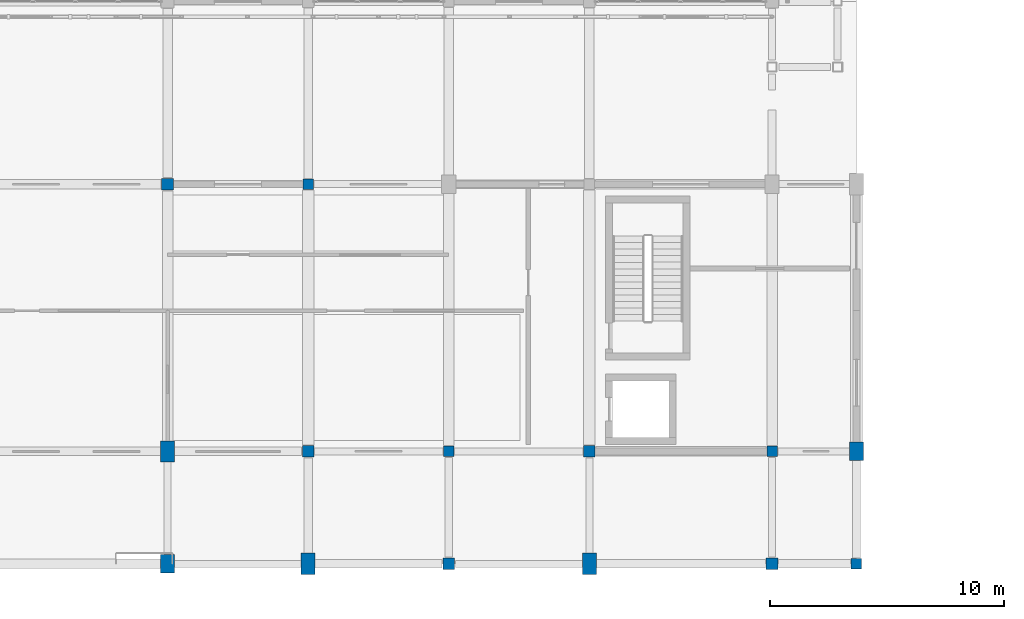
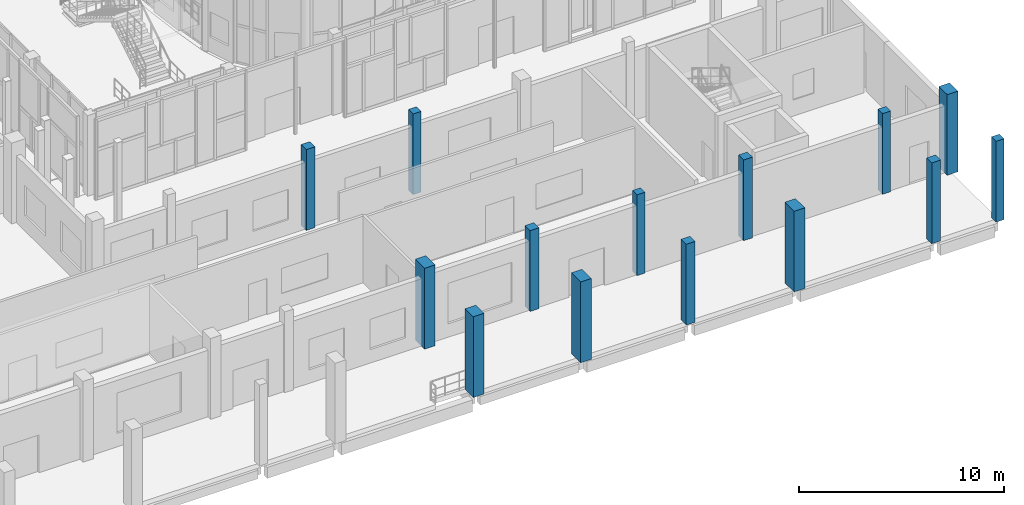
# One storey, part 4 of 91: 14 columns.
"""IFC4 building model written with IfcOpenShell, lengths in metres."""

from ifc_helpers import new_model, si_unit, direction, frame, origin, origin_2d, place, context, subcontext, project, spatial, rectangle, extrude, material, material_profile, profile_set, type_object, element, save


model = new_model("IFC4")

# Units and contexts
model_context = context("Model", 3, precision=1e-05, world=origin(), true_north=direction((0.0, 1.0)))
body_context = subcontext(model_context, "Body", "Model", "MODEL_VIEW")
ifc_project = project(units=[si_unit("LENGTHUNIT", "METRE"), si_unit("AREAUNIT", "SQUARE_METRE"), si_unit("VOLUMEUNIT", "CUBIC_METRE"), si_unit("PLANEANGLEUNIT", "RADIAN"), si_unit("MASSUNIT", "GRAM", prefix="KILO")], contexts=[model_context])

# Site, building, storey
site_placement = place(None, origin())
site = spatial("IfcSite", under=ifc_project, at=site_placement, CompositionType="ELEMENT")
building_placement = place(site_placement, origin())
building = spatial("IfcBuilding", under=site, at=building_placement, Name="Vinh Khe Railworks Police Headquarters", CompositionType="ELEMENT")
storey_placement = place(building_placement, origin())
storey = spatial("IfcBuildingStorey", under=building, at=storey_placement, Name="L00", CompositionType="ELEMENT", Elevation=0.0)

# Columns
ifc_material = material(Name="Concrete C40/50 (B40)", Category="concrete")
ifc_material_profile_1 = material_profile(ifc_material, rectangle(XDim=0.449951171875, YDim=0.449951171875, at=origin_2d()), Name="RC 450x450")
ifc_profile_set_1 = profile_set([ifc_material_profile_1], Name="Concrete C40/50 (B40)")
column_type_1 = type_object("IfcColumnType", Name="RC Column RC 450x450", PredefinedType="COLUMN", material=ifc_profile_set_1)
for number, where, z_axis, x_axis, name in (
    (1, (40.199951171875, 17.39990234375, 0.0), (0.0, 0.0, 1.0), (1.0, 0.0, 0.0), "Column COL-L00-CC-08-0856"),
    (2, (46.199951171875, 6.0, 0.0), (0.0, 0.0, 1.0), (1.0, 0.0, 0.0), "Column COL-L00-CC-08-0902"),
    (3, (60.0, 6.0, 0.0), (0.0, 0.0, 1.0), (1.0, 0.0, 0.0), "Column COL-L00-CC-08-0996"),
    (4, (63.60009765625, 1.199951171875, 0.0), (0.0, 0.0, 1.0), (1.0, 0.0, 0.0), "Column COL-L00-CC-08-1112"),
):
    element("IfcColumn", number, at=place(storey_placement, frame(where, z_axis=z_axis, x_axis=x_axis)), inside=storey, type_object=column_type_1, Name=name, PredefinedType="COLUMN", context=body_context, shape_type="SweptSolid", body=[
        extrude(rectangle(XDim=0.449951171875, YDim=0.449951171875, at=origin_2d()), origin(), (0.0, 0.0, 1.0), 4.800048828125),
    ])
ifc_material_profile_2 = material_profile(ifc_material, rectangle(XDim=0.5, YDim=0.5, at=origin_2d()), Name="RC 500x500")
ifc_profile_set_2 = profile_set([ifc_material_profile_2], Name="Concrete C40/50 (B40)")
column_type_2 = type_object("IfcColumnType", Name="RC Column RC 500x500", PredefinedType="COLUMN", material=ifc_profile_set_2)
for number, where, z_axis, x_axis, name in (
    (5, (34.199951171875, 17.39990234375, 0.0), (0.0, 0.0, 1.0), (1.0, 0.0, 0.0), "Column COL-L00-CC-07-0787"),
    (6, (40.199951171875, 6.0, 0.0), (0.0, 0.0, 1.0), (1.0, 0.0, 0.0), "Column COL-L00-CC-07-0853"),
    (7, (46.199951171875, 1.199951171875, 0.0), (0.0, 0.0, 1.0), (1.0, 0.0, 0.0), "Column COL-L00-CC-07-0899"),
    (8, (52.199951171875, 6.0, 0.0), (0.0, 0.0, 1.0), (1.0, 0.0, 0.0), "Column COL-L00-CC-07-0963"),
    (9, (60.0, 1.199951171875, 0.0), (0.0, 0.0, 1.0), (1.0, 0.0, 0.0), "Column COL-L00-CC-07-0993"),
):
    element("IfcColumn", number, at=place(storey_placement, frame(where, z_axis=z_axis, x_axis=x_axis)), inside=storey, type_object=column_type_2, Name=name, PredefinedType="COLUMN", context=body_context, shape_type="SweptSolid", body=[
        extrude(rectangle(XDim=0.5, YDim=0.5, at=origin_2d()), origin(), (0.0, 0.0, 1.0), 4.800048828125),
    ])
ifc_material_profile_3 = material_profile(ifc_material, rectangle(XDim=0.60009765625, YDim=0.800048828125, at=origin_2d()), Name="RC 600x800")
ifc_profile_set_3 = profile_set([ifc_material_profile_3], Name="Concrete C40/50 (B40)")
column_type_3 = type_object("IfcColumnType", Name="RC Column RC 600x800", PredefinedType="COLUMN", material=ifc_profile_set_3)
for number, where, z_axis, x_axis, name in (
    (10, (34.199951171875, 1.199951171875, 0.0), (0.0, 0.0, 1.0), (1.0, 0.0, 0.0), "Column COL-L00-CC-09-0781"),
    (11, (63.60009765625, 6.0, 0.0), (0.0, 0.0, 1.0), (1.0, 0.0, 0.0), "Column COL-L00-CC-09-1115"),
):
    element("IfcColumn", number, at=place(storey_placement, frame(where, z_axis=z_axis, x_axis=x_axis)), inside=storey, type_object=column_type_3, Name=name, PredefinedType="COLUMN", context=body_context, shape_type="SweptSolid", body=[
        extrude(rectangle(XDim=0.60009765625, YDim=0.800048828125, at=origin_2d()), origin(), (0.0, 0.0, 1.0), 4.800048828125),
    ])
ifc_material_profile_4 = material_profile(ifc_material, rectangle(XDim=0.60009765625, YDim=0.89990234375, at=origin_2d()), Name="RC 600x900")
ifc_profile_set_4 = profile_set([ifc_material_profile_4], Name="Concrete C40/50 (B40)")
column_type_4 = type_object("IfcColumnType", Name="RC Column RC 600x900", PredefinedType="COLUMN", material=ifc_profile_set_4)
for number, where, z_axis, x_axis, name in (
    (12, (34.199951171875, 6.0, 0.0), (0.0, 0.0, 1.0), (1.0, 0.0, 0.0), "Column COL-L00-CC-10-0784"),
    (13, (40.199951171875, 1.199951171875, 0.0), (0.0, 0.0, 1.0), (1.0, 0.0, 0.0), "Column COL-L00-CC-10-0850"),
    (14, (52.199951171875, 1.199951171875, 0.0), (0.0, 0.0, 1.0), (1.0, 0.0, 0.0), "Column COL-L00-CC-10-0960"),
):
    element("IfcColumn", number, at=place(storey_placement, frame(where, z_axis=z_axis, x_axis=x_axis)), inside=storey, type_object=column_type_4, Name=name, PredefinedType="COLUMN", context=body_context, shape_type="SweptSolid", body=[
        extrude(rectangle(XDim=0.60009765625, YDim=0.89990234375, at=origin_2d()), origin(), (0.0, 0.0, 1.0), 4.800048828125),
    ])

save(model, "model.ifc")
